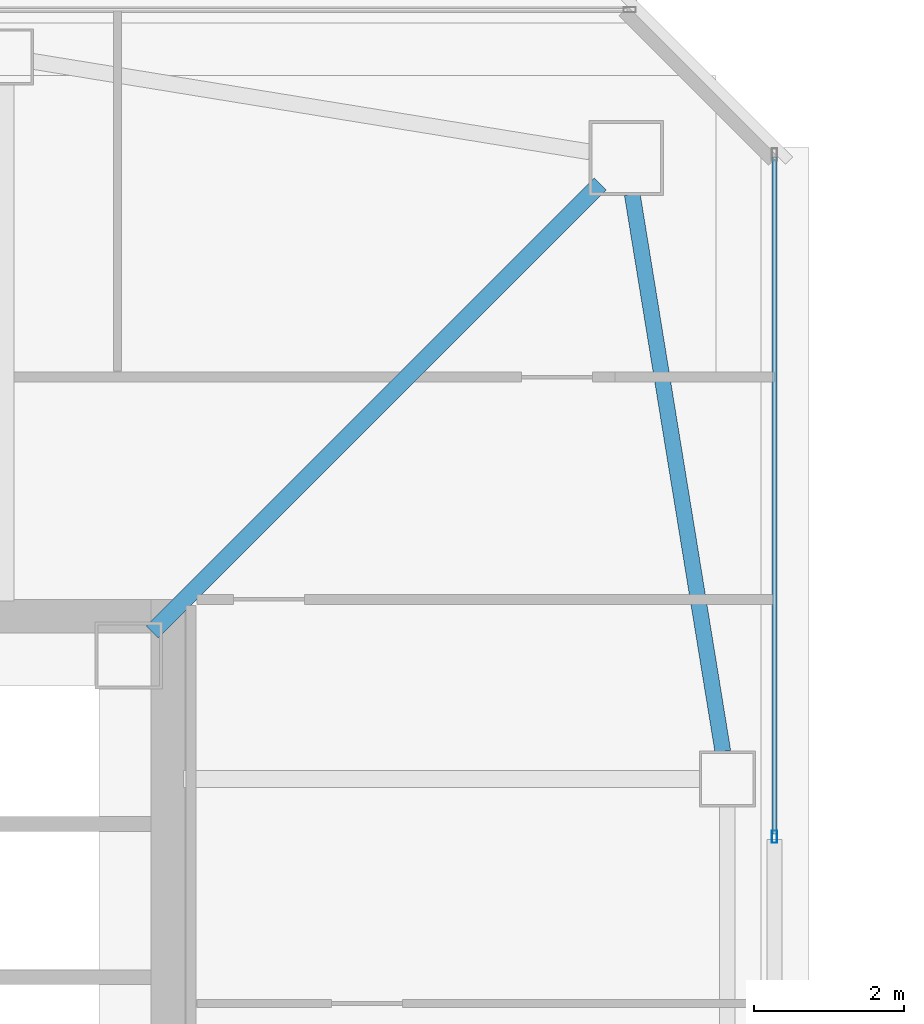
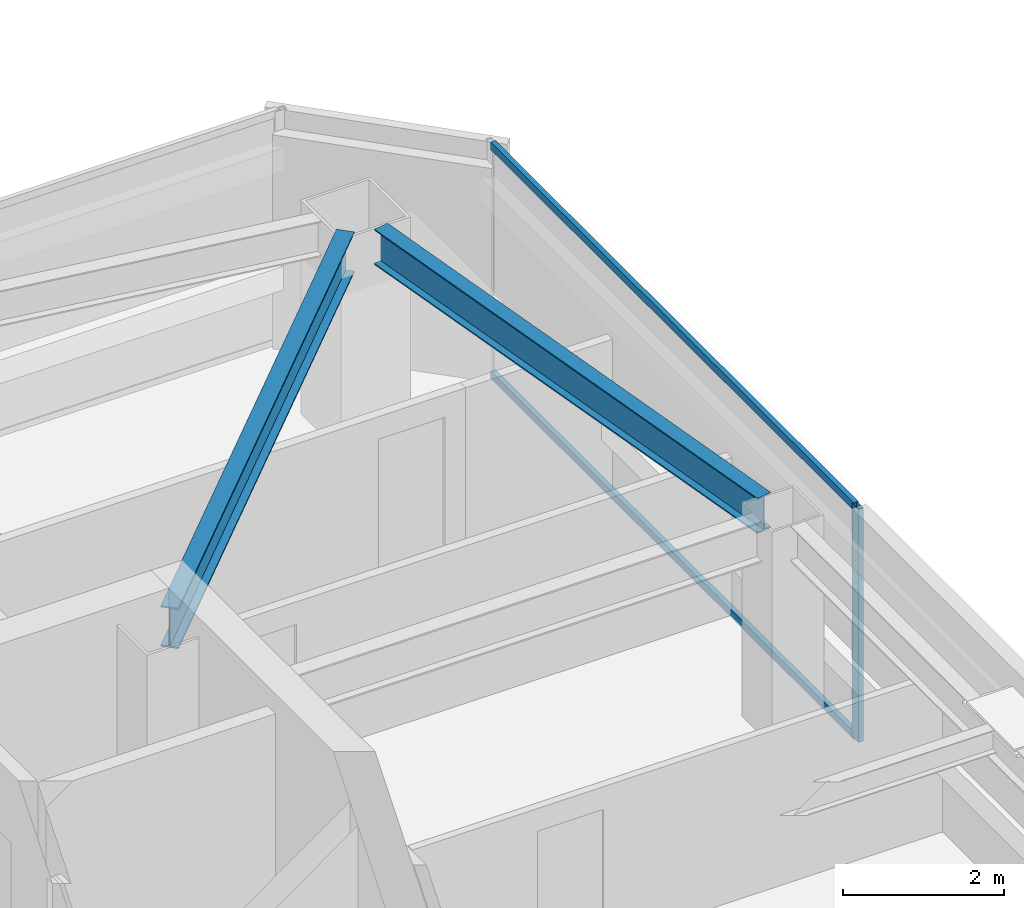
# One storey, part 12 of 39: 3 members, 2 beams, 1 element without a shape of its own.
"""IFC4 building model written with IfcOpenShell, lengths in metres."""

from ifc_helpers import new_model, si_unit, direction, frame, origin, origin_2d, place, context, subcontext, project, spatial, hollow_rectangle, i_section, extrude, material, material_profile, profile_set, type_object, element, aggregate, save


model = new_model("IFC4")

# Units and contexts
model_context = context("Model", 3, precision=1e-05, world=origin(), true_north=direction((0.0, 1.0)))
body_context = subcontext(model_context, "Body", "Model", "MODEL_VIEW")
ifc_project = project(units=[si_unit("LENGTHUNIT", "METRE"), si_unit("AREAUNIT", "SQUARE_METRE"), si_unit("VOLUMEUNIT", "CUBIC_METRE"), si_unit("PLANEANGLEUNIT", "RADIAN"), si_unit("MASSUNIT", "GRAM", prefix="KILO")], contexts=[model_context])

# Site, building, storey
site_placement = place(None, origin())
site = spatial("IfcSite", under=ifc_project, at=site_placement, CompositionType="ELEMENT")
building_placement = place(site_placement, origin())
building = spatial("IfcBuilding", under=site, at=building_placement, Name="Tashvorn Skyway Center", CompositionType="ELEMENT")
storey_placement = place(building_placement, frame((0.0, 0.0, 243.25)))
storey = spatial("IfcBuildingStorey", under=building, at=storey_placement, Name="L66", CompositionType="ELEMENT", Elevation=243.25)

# Beams
ifc_material_1 = material(Name="Steel ASTM A992 Grade 50", Category="steel")
ifc_material_profile_1 = material_profile(ifc_material_1, i_section(OverallWidth=0.22998046875, OverallDepth=0.616943359375, WebThickness=0.01318359375, FlangeThickness=0.022216796875, at=origin_2d()), Name="W24X94")
ifc_profile_set_1 = profile_set([ifc_material_profile_1], Name="Steel ASTM A992 Grade 50")
beam_type_1 = type_object("IfcBeamType", Name="BM-BEAM-W24X94", PredefinedType="BEAM", material=ifc_profile_set_1)
beam_1_placement = place(storey_placement, frame((55.35009765625, 45.35009765625, 2.94140625), z_axis=(-0.707106781187, -0.707106781187, 0.0), x_axis=(0.707106781187, -0.707106781187, 0.0)))
element("IfcBeam", 1, at=beam_1_placement, inside=storey, type_object=beam_type_1, Name="Tower 1 L66 Primary Floor Girder MC-NE", PredefinedType="BEAM", context=body_context, shape_type="SweptSolid", body=[
    extrude(i_section(OverallWidth=0.22998046875, OverallDepth=0.616943359375, WebThickness=0.01318359375, FlangeThickness=0.022216796875, at=origin_2d()), origin(), (0.0, 0.0, 1.0), 8.464599609375),
])
ifc_material_profile_2 = material_profile(ifc_material_1, i_section(OverallWidth=0.2109375, OverallDepth=0.5390625, WebThickness=0.01171875, FlangeThickness=0.018798828125, at=origin_2d()), Name="W21X73")
ifc_profile_set_2 = profile_set([ifc_material_profile_2], Name="Steel ASTM A992 Grade 50")
beam_type_2 = type_object("IfcBeamType", Name="BM-SPANDREL-W21X73", PredefinedType="SPANDREL", material=ifc_profile_set_2)
beam_2_placement = place(storey_placement, frame((56.990478515625, 37.76513671875, 2.98046875), z_axis=(-0.160514302677, 0.987033514444, 0.0), x_axis=(-0.987033514444, -0.160514302677, 0.0)))
element("IfcBeam", 2, at=beam_2_placement, inside=storey, type_object=beam_type_2, Name="Tower 1 L66 Spandrel Beam 06", PredefinedType="SPANDREL", context=body_context, shape_type="SweptSolid", body=[
    extrude(i_section(OverallWidth=0.2109375, OverallDepth=0.5390625, WebThickness=0.01171875, FlangeThickness=0.018798828125, at=origin_2d()), origin(), (0.0, 0.0, 1.0), 7.544189453125),
])

# Curtain wall, members
ifc_material_2 = material(Name="Thermally broken bronze-anodized aluminium 6063-T6", Category="aluminium")
curtain_wall_type = type_object("IfcCurtainWallType", Name="CW-CW-Z5", PredefinedType="NOTDEFINED", material=ifc_material_2)
curtain_wall_placement = place(storey_placement, origin())
curtain_wall = element("IfcCurtainWall", 3, at=curtain_wall_placement, inside=storey, type_object=curtain_wall_type, Name="Tower 1 L66 East Unitised Curtain Wall Glazing Group 1", PredefinedType="NOTDEFINED")
ifc_material_profile_3 = material_profile(ifc_material_2, hollow_rectangle(XDim=0.070068359375, YDim=0.1650390625, WallThickness=0.00390625, at=origin_2d()), Name="ALU-MULL-70x165")
ifc_profile_set_3 = profile_set([ifc_material_profile_3], Name="Thermally broken bronze-anodized aluminium 6063-T6")
member_type_1 = type_object("IfcMemberType", Name="CWM-CW-Z5", PredefinedType="MULLION", material=ifc_profile_set_3)
member_1_placement = place(storey_placement, frame((57.679931640625, 36.62841796875, 0.0), z_axis=(0.0, 0.0, 1.0), x_axis=(1.0, 0.0, 0.0)))
member_1 = element("IfcMember", 4, at=member_1_placement, type_object=member_type_1, Name="CW-Z5 mullion 2", PredefinedType="MULLION", context=body_context, shape_type="SweptSolid", body=[
    extrude(hollow_rectangle(XDim=0.070068359375, YDim=0.1650390625, WallThickness=0.00390625, at=origin_2d()), origin(), (0.0, 0.0, 1.0), 3.550048828125),
])
ifc_material_profile_4 = material_profile(ifc_material_2, hollow_rectangle(XDim=0.070068359375, YDim=0.114990234375, WallThickness=0.00390625, at=origin_2d()), Name="ALU-TRAN-70x115")
ifc_profile_set_4 = profile_set([ifc_material_profile_4], Name="Thermally broken bronze-anodized aluminium 6063-T6")
member_type_2 = type_object("IfcMemberType", Name="CWT-CW-Z5", PredefinedType="USERDEFINED", material=ifc_profile_set_4)
member_2_placement = place(storey_placement, frame((57.679931640625, 45.7099609375, 0.034912109375), z_axis=(0.0, -1.0, 0.0), x_axis=(1.0, 0.0, 0.0)))
member_2 = element("IfcMember", 5, at=member_2_placement, type_object=member_type_2, Name="CW-Z5 transom 1.1", ObjectType="TRANSOM", PredefinedType="USERDEFINED", context=body_context, shape_type="SweptSolid", body=[
    extrude(hollow_rectangle(XDim=0.070068359375, YDim=0.114990234375, WallThickness=0.00390625, at=origin_2d()), origin(), (0.0, 0.0, 1.0), 9.046630859375),
])
member_3_placement = place(storey_placement, frame((57.679931640625, 45.7099609375, 3.514892578125), z_axis=(0.0, -1.0, 0.0), x_axis=(1.0, 0.0, 0.0)))
member_3 = element("IfcMember", 6, at=member_3_placement, type_object=member_type_2, Name="CW-Z5 transom 1.2", ObjectType="TRANSOM", PredefinedType="USERDEFINED", context=body_context, shape_type="SweptSolid", body=[
    extrude(hollow_rectangle(XDim=0.070068359375, YDim=0.114990234375, WallThickness=0.00390625, at=origin_2d()), origin(), (0.0, 0.0, 1.0), 9.046630859375),
])
aggregate(curtain_wall, [member_1, member_2, member_3])

save(model, "model.ifc")
